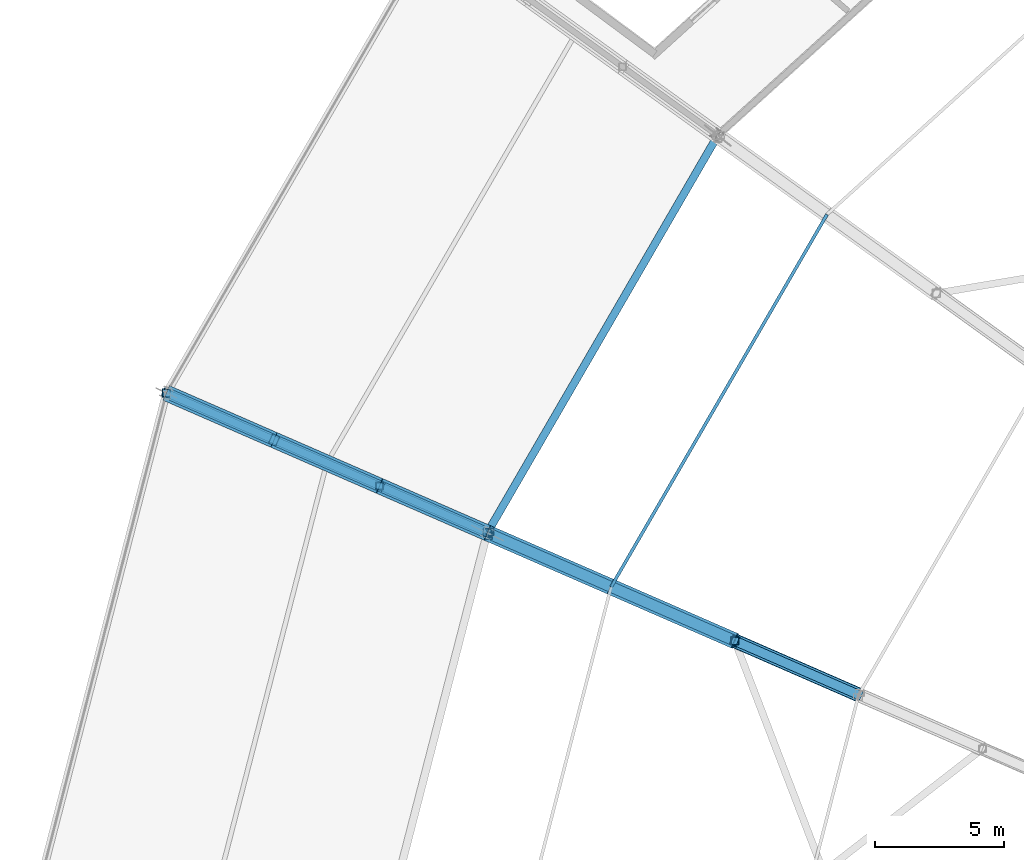
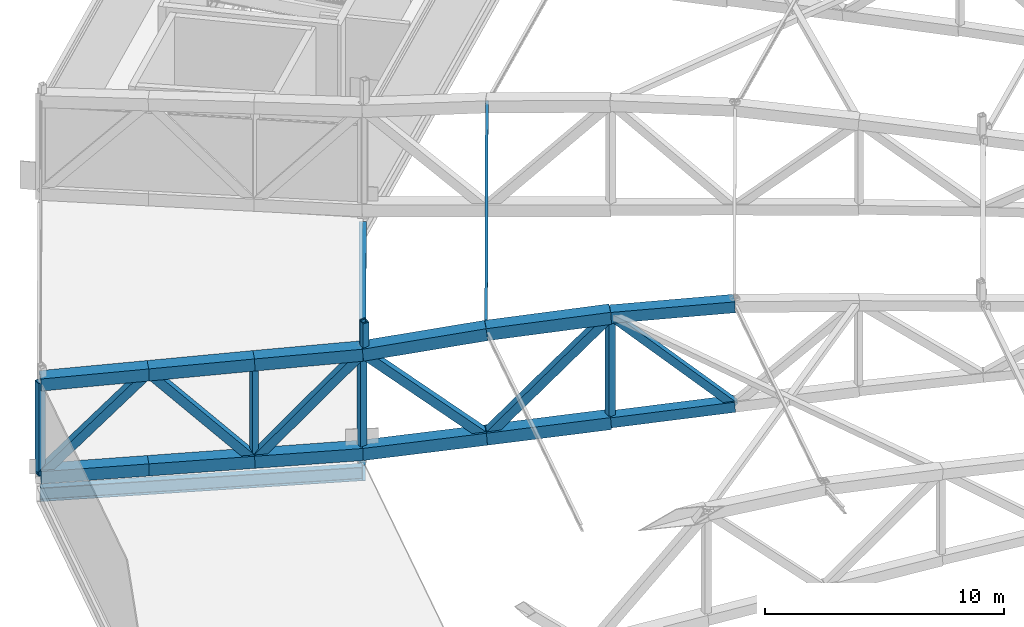
# One storey, part 43 of 162: 25 members, 2 beams.
"""IFC4 building model written with IfcOpenShell, lengths in metres."""

from ifc_helpers import new_model, si_unit, direction, frame, origin, origin_2d, place, context, subcontext, project, spatial, hollow_rectangle, i_section, extrude, material, material_profile, profile_set, type_object, element, save


model = new_model("IFC4")

# Units and contexts
model_context = context("Model", 3, precision=1e-05, world=origin(), true_north=direction((0.0, 1.0)))
body_context = subcontext(model_context, "Body", "Model", "MODEL_VIEW")
ifc_project = project(units=[si_unit("LENGTHUNIT", "METRE"), si_unit("AREAUNIT", "SQUARE_METRE"), si_unit("VOLUMEUNIT", "CUBIC_METRE"), si_unit("PLANEANGLEUNIT", "RADIAN"), si_unit("MASSUNIT", "GRAM", prefix="KILO")], contexts=[model_context])

# Site, building, storey
site_placement = place(None, origin())
site = spatial("IfcSite", under=ifc_project, at=site_placement, CompositionType="ELEMENT")
building_placement = place(site_placement, origin())
building = spatial("IfcBuilding", under=site, at=building_placement, Name="Kazemori Nagisa Stadium", CompositionType="ELEMENT")
storey_placement = place(building_placement, frame((0.0, 0.0, 36.719970703125)))
storey = spatial("IfcBuildingStorey", under=building, at=storey_placement, Name="RF", CompositionType="ELEMENT", Elevation=36.719970703125)

# Beams
ifc_material_1 = material(Name="Steel SN490B", Category="steel")
ifc_material_profile_1 = material_profile(ifc_material_1, i_section(OverallWidth=0.300048828125, OverallDepth=0.699951171875, WebThickness=0.012939453125, FlangeThickness=0.02392578125, FilletRadius=0.01806640625, at=origin_2d()), Name="H-700x300x13x24")
ifc_profile_set_1 = profile_set([ifc_material_profile_1], Name="Steel SN490B")
beam_type_1 = type_object("IfcBeamType", Name="Beam_BG-H700", PredefinedType="BEAM", material=ifc_profile_set_1)
beam_1_placement = place(storey_placement, frame((46.55908203125, 135.32470703125, -0.6298828125), z_axis=(-0.916683633521, 0.399613708517, 0.0), x_axis=(-0.399613708517, -0.916683633521, 0.0)))
element("IfcBeam", 1, at=beam_1_placement, inside=storey, type_object=beam_type_1, Name="Radial girder BG-H700 RF R2-R3-13", PredefinedType="BEAM", context=body_context, shape_type="SweptSolid", body=[
    extrude(i_section(OverallWidth=0.300048828125, OverallDepth=0.699951171875, WebThickness=0.012939453125, FlangeThickness=0.02392578125, FilletRadius=0.01806640625, at=origin_2d()), origin(), (0.0, 0.0, 1.0), 13.5751953125),
])
ifc_material_profile_2 = material_profile(ifc_material_1, i_section(OverallWidth=0.300048828125, OverallDepth=0.800048828125, WebThickness=0.013916015625, FlangeThickness=0.02587890625, FilletRadius=0.01806640625, at=origin_2d()), Name="H-800x300x14x26")
ifc_profile_set_2 = profile_set([ifc_material_profile_2], Name="Steel SN490B")
beam_type_2 = type_object("IfcBeamType", Name="Beam_BG-H800", PredefinedType="BEAM", material=ifc_profile_set_2)
beam_2_placement = place(storey_placement, frame((55.493896484375, 150.734130859375, -0.679931640625), z_axis=(-0.501606704589, -0.865095783085, 0.0), x_axis=(0.865095783085, -0.501606704589, 0.0)))
element("IfcBeam", 2, at=beam_2_placement, inside=storey, type_object=beam_type_2, Name="Ring girder BG-H800 RF R2-12", PredefinedType="BEAM", context=body_context, shape_type="SweptSolid", body=[
    extrude(i_section(OverallWidth=0.300048828125, OverallDepth=0.800048828125, WebThickness=0.013916015625, FlangeThickness=0.02587890625, FilletRadius=0.01806640625, at=origin_2d()), origin(), (0.0, 0.0, 1.0), 17.8125),
])

# Members
ifc_material_2 = material(Name="Steel STKR490", Category="steel")
ifc_material_profile_3 = material_profile(ifc_material_2, hollow_rectangle(XDim=0.280029296875, YDim=0.280029296875, WallThickness=0.010009765625, at=origin_2d()), Name="SHS-280x280x10")
ifc_profile_set_3 = profile_set([ifc_material_profile_3], Name="Steel STKR490")
member_type_1 = type_object("IfcMemberType", Name="Member_ST-SHS280", PredefinedType="STUD", material=ifc_profile_set_3)
member_1_placement = place(storey_placement, frame((46.672607421875, 135.36328125, 5.56005859375), z_axis=(0.0, 0.0, 1.0), x_axis=(1.0, 0.0, 0.0)))
element("IfcMember", 3, at=member_1_placement, inside=storey, type_object=member_type_1, Name="Canopy bearing stool B12-mid-2", PredefinedType="STUD", context=body_context, shape_type="SweptSolid", body=[
    extrude(hollow_rectangle(XDim=0.280029296875, YDim=0.280029296875, WallThickness=0.010009765625, at=origin_2d()), origin(), (0.0, 0.0, 1.0), 1.512939453125),
])
member_2_placement = place(storey_placement, frame((46.612060546875, 135.217041015625, 5.56005859375), z_axis=(0.0, 0.0, 1.0), x_axis=(1.0, 0.0, 0.0)))
element("IfcMember", 4, at=member_2_placement, inside=storey, type_object=member_type_1, Name="Canopy bearing stool B13-mid-1", PredefinedType="STUD", context=body_context, shape_type="SweptSolid", body=[
    extrude(hollow_rectangle(XDim=0.280029296875, YDim=0.280029296875, WallThickness=0.010009765625, at=origin_2d()), origin(), (0.0, 0.0, 1.0), 1.56689453125),
])
ifc_material_profile_4 = material_profile(ifc_material_2, hollow_rectangle(XDim=0.360107421875, YDim=0.360107421875, WallThickness=0.013916015625, at=origin_2d()), Name="SHS-360x360x14")
ifc_profile_set_4 = profile_set([ifc_material_profile_4], Name="Steel STKR490")
member_type_2 = type_object("IfcMemberType", Name="Member_TB-SHS360", PredefinedType="BRACE", material=ifc_profile_set_4)
member_3_placement = place(storey_placement, frame((56.158447265625, 131.1396484375, 6.6259765625), z_axis=(0.663223998138, -0.289140024824, -0.690312953912), x_axis=(0.399634648115, 0.916674504951, 0.0)))
element("IfcMember", 5, at=member_3_placement, inside=storey, type_object=member_type_2, Name="Roof space truss diagonal RT-13-6", PredefinedType="BRACE", context=body_context, shape_type="SweptSolid", body=[
    extrude(hollow_rectangle(XDim=0.360107421875, YDim=0.360107421875, WallThickness=0.013916015625, at=origin_2d()), origin(), (0.0, 0.0, 1.0), 7.237060546875),
])
ifc_material_profile_5 = material_profile(ifc_material_2, hollow_rectangle(XDim=0.419921875, YDim=0.419921875, WallThickness=0.01611328125, at=origin_2d()), Name="SHS-420x420x16")
ifc_profile_set_5 = profile_set([ifc_material_profile_5], Name="Steel STKR490")
member_type_3 = type_object("IfcMemberType", Name="Member_TB-SHS420", PredefinedType="BRACE", material=ifc_profile_set_5)
member_4_placement = place(storey_placement, frame((34.114990234375, 140.74951171875, 0.360107421875), z_axis=(0.624310604924, -0.272169069234, 0.732229654092), x_axis=(0.399626973306, 0.916677850832, 0.0)))
element("IfcMember", 6, at=member_4_placement, inside=storey, type_object=member_type_3, Name="Roof space truss diagonal RT-13-1", PredefinedType="BRACE", context=body_context, shape_type="SweptSolid", body=[
    extrude(hollow_rectangle(XDim=0.419921875, YDim=0.419921875, WallThickness=0.01611328125, at=origin_2d()), origin(), (0.0, 0.0, 1.0), 6.691650390625),
])
member_5_placement = place(storey_placement, frame((38.292724609375, 138.92822265625, 5.260009765625), z_axis=(0.622589724178, -0.271423393815, -0.733969601985), x_axis=(0.399632596361, 0.916675399433, 0.0)))
element("IfcMember", 7, at=member_5_placement, inside=storey, type_object=member_type_3, Name="Roof space truss diagonal RT-13-2", PredefinedType="BRACE", context=body_context, shape_type="SweptSolid", body=[
    extrude(hollow_rectangle(XDim=0.419921875, YDim=0.419921875, WallThickness=0.01611328125, at=origin_2d()), origin(), (0.0, 0.0, 1.0), 6.567138671875),
])
member_6_placement = place(storey_placement, frame((42.38134765625, 137.145751953125, 0.43994140625), z_axis=(0.609480709144, -0.265668338564, 0.746962916794), x_axis=(0.39958195767, 0.916697474145, 0.0)))
element("IfcMember", 8, at=member_6_placement, inside=storey, type_object=member_type_3, Name="Roof space truss diagonal RT-13-3", PredefinedType="BRACE", context=body_context, shape_type="SweptSolid", body=[
    extrude(hollow_rectangle(XDim=0.419921875, YDim=0.419921875, WallThickness=0.01611328125, at=origin_2d()), origin(), (0.0, 0.0, 1.0), 6.8544921875),
])
member_7_placement = place(storey_placement, frame((46.55908203125, 135.32470703125, 5.56005859375), z_axis=(0.681504221727, -0.297124608801, -0.668781700268), x_axis=(0.399651729643, 0.916667057875, 0.0)))
element("IfcMember", 9, at=member_7_placement, inside=storey, type_object=member_type_3, Name="Roof space truss diagonal RT-13-4", PredefinedType="BRACE", context=body_context, shape_type="SweptSolid", body=[
    extrude(hollow_rectangle(XDim=0.419921875, YDim=0.419921875, WallThickness=0.01611328125, at=origin_2d()), origin(), (0.0, 0.0, 1.0), 7.04248046875),
])
member_8_placement = place(storey_placement, frame((51.358642578125, 133.232177734375, 0.85009765625), z_axis=(0.615675483339, -0.268410710463, 0.74087744582), x_axis=(0.399634648115, 0.916674504951, 0.0)))
element("IfcMember", 10, at=member_8_placement, inside=storey, type_object=member_type_3, Name="Roof space truss diagonal RT-13-5", PredefinedType="BRACE", context=body_context, shape_type="SweptSolid", body=[
    extrude(hollow_rectangle(XDim=0.419921875, YDim=0.419921875, WallThickness=0.01611328125, at=origin_2d()), origin(), (0.0, 0.0, 1.0), 7.7958984375),
])
ifc_material_profile_6 = material_profile(ifc_material_2, hollow_rectangle(XDim=0.52001953125, YDim=0.52001953125, WallThickness=0.01904296875, at=origin_2d()), Name="SHS-520x520x19")
ifc_profile_set_6 = profile_set([ifc_material_profile_6], Name="Steel STKR490")
member_type_4 = type_object("IfcMemberType", Name="Member_TC-SHS520", PredefinedType="CHORD", material=ifc_profile_set_6)
member_9_placement = place(storey_placement, frame((56.158447265625, 131.1396484375, 1.239990234375), z_axis=(0.914140553417, -0.398529943201, 0.074302980893), x_axis=(0.399634648115, 0.916674504951, 0.0)))
element("IfcMember", 11, at=member_9_placement, inside=storey, type_object=member_type_4, Name="Roof space truss bottom chord RT-13-6", PredefinedType="CHORD", context=body_context, shape_type="SweptSolid", body=[
    extrude(hollow_rectangle(XDim=0.52001953125, YDim=0.52001953125, WallThickness=0.01904296875, at=origin_2d()), origin(), (0.0, 0.0, 1.0), 5.250732421875),
])
ifc_material_profile_7 = material_profile(ifc_material_2, hollow_rectangle(XDim=0.56005859375, YDim=0.56005859375, WallThickness=0.02001953125, at=origin_2d()), Name="SHS-560x560x20")
ifc_profile_set_7 = profile_set([ifc_material_profile_7], Name="Steel STKR490")
member_type_5 = type_object("IfcMemberType", Name="Member_TC-SHS560", PredefinedType="CHORD", material=ifc_profile_set_7)
member_10_placement = place(storey_placement, frame((56.158447265625, 131.1396484375, 6.6259765625), z_axis=(0.916383006821, -0.399507566199, 0.025216846729), x_axis=(0.399634648115, 0.916674504951, 0.0)))
element("IfcMember", 12, at=member_10_placement, inside=storey, type_object=member_type_5, Name="Roof space truss top chord RT-13-6", PredefinedType="CHORD", context=body_context, shape_type="SweptSolid", body=[
    extrude(hollow_rectangle(XDim=0.56005859375, YDim=0.56005859375, WallThickness=0.02001953125, at=origin_2d()), origin(), (0.0, 0.0, 1.0), 5.23779296875),
])
ifc_material_profile_8 = material_profile(ifc_material_2, hollow_rectangle(XDim=0.6201171875, YDim=0.6201171875, WallThickness=0.02197265625, at=origin_2d()), Name="SHS-620x620x22")
ifc_profile_set_8 = profile_set([ifc_material_profile_8], Name="Steel STKR490")
member_type_6 = type_object("IfcMemberType", Name="Member_TC-SHS620", PredefinedType="CHORD", material=ifc_profile_set_8)
member_11_placement = place(storey_placement, frame((34.114990234375, 140.74951171875, 5.10009765625), z_axis=(0.916114082748, -0.399381197832, 0.035066311606), x_axis=(0.399626973306, 0.916677850832, 0.0)))
element("IfcMember", 13, at=member_11_placement, inside=storey, type_object=member_type_6, Name="Roof space truss top chord RT-13-1", PredefinedType="CHORD", context=body_context, shape_type="SweptSolid", body=[
    extrude(hollow_rectangle(XDim=0.6201171875, YDim=0.6201171875, WallThickness=0.02197265625, at=origin_2d()), origin(), (0.0, 0.0, 1.0), 4.560302734375),
])
member_12_placement = place(storey_placement, frame((34.114990234375, 140.74951171875, 0.360107421875), z_axis=(0.916642477072, -0.399611552066, 0.008785026078), x_axis=(0.399626973306, 0.916677850832, 0.0)))
element("IfcMember", 14, at=member_12_placement, inside=storey, type_object=member_type_6, Name="Roof space truss bottom chord RT-13-1", PredefinedType="CHORD", context=body_context, shape_type="SweptSolid", body=[
    extrude(hollow_rectangle(XDim=0.6201171875, YDim=0.6201171875, WallThickness=0.02197265625, at=origin_2d()), origin(), (0.0, 0.0, 1.0), 4.5576171875),
])
member_13_placement = place(storey_placement, frame((38.292724609375, 138.92822265625, 5.260009765625), z_axis=(0.916086817595, -0.399375999001, 0.035829513676), x_axis=(0.399632596361, 0.916675399433, 0.0)))
element("IfcMember", 15, at=member_13_placement, inside=storey, type_object=member_type_6, Name="Roof space truss top chord RT-13-2", PredefinedType="CHORD", context=body_context, shape_type="SweptSolid", body=[
    extrude(hollow_rectangle(XDim=0.6201171875, YDim=0.6201171875, WallThickness=0.02197265625, at=origin_2d()), origin(), (0.0, 0.0, 1.0), 4.463134765625),
])
member_14_placement = place(storey_placement, frame((38.292724609375, 138.92822265625, 0.400146484375), z_axis=(0.916638916313, -0.399616691228, 0.008921725883), x_axis=(0.399632596361, 0.916675399433, 0.0)))
element("IfcMember", 16, at=member_14_placement, inside=storey, type_object=member_type_6, Name="Roof space truss bottom chord RT-13-2", PredefinedType="CHORD", context=body_context, shape_type="SweptSolid", body=[
    extrude(hollow_rectangle(XDim=0.6201171875, YDim=0.6201171875, WallThickness=0.02197265625, at=origin_2d()), origin(), (0.0, 0.0, 1.0), 4.46044921875),
])
member_15_placement = place(storey_placement, frame((42.38134765625, 137.145751953125, 5.419921875), z_axis=(0.916264399752, -0.399393183599, 0.030734909155), x_axis=(0.39958195767, 0.916697474145, 0.0)))
element("IfcMember", 17, at=member_15_placement, inside=storey, type_object=member_type_6, Name="Roof space truss top chord RT-13-3", PredefinedType="CHORD", context=body_context, shape_type="SweptSolid", body=[
    extrude(hollow_rectangle(XDim=0.6201171875, YDim=0.6201171875, WallThickness=0.02197265625, at=origin_2d()), origin(), (0.0, 0.0, 1.0), 4.5595703125),
])
member_16_placement = place(storey_placement, frame((42.38134765625, 137.145751953125, 0.43994140625), z_axis=(0.916662098113, -0.399566537507, 0.008785214124), x_axis=(0.39958195767, 0.916697474145, 0.0)))
element("IfcMember", 18, at=member_16_placement, inside=storey, type_object=member_type_6, Name="Roof space truss bottom chord RT-13-3", PredefinedType="CHORD", context=body_context, shape_type="SweptSolid", body=[
    extrude(hollow_rectangle(XDim=0.6201171875, YDim=0.6201171875, WallThickness=0.02197265625, at=origin_2d()), origin(), (0.0, 0.0, 1.0), 4.5576171875),
])
member_17_placement = place(storey_placement, frame((46.55908203125, 135.32470703125, 5.56005859375), z_axis=(0.909897129145, -0.396700152292, 0.12131036042), x_axis=(0.399651729643, 0.916667057875, 0.0)))
element("IfcMember", 19, at=member_17_placement, inside=storey, type_object=member_type_6, Name="Roof space truss top chord RT-13-4", PredefinedType="CHORD", context=body_context, shape_type="SweptSolid", body=[
    extrude(hollow_rectangle(XDim=0.6201171875, YDim=0.6201171875, WallThickness=0.02197265625, at=origin_2d()), origin(), (0.0, 0.0, 1.0), 5.27490234375),
])
member_18_placement = place(storey_placement, frame((46.55908203125, 135.32470703125, 0.47998046875), z_axis=(0.914385368274, -0.398656950581, 0.070512651625), x_axis=(0.399651729643, 0.916667057875, 0.0)))
element("IfcMember", 20, at=member_18_placement, inside=storey, type_object=member_type_6, Name="Roof space truss bottom chord RT-13-4", PredefinedType="CHORD", context=body_context, shape_type="SweptSolid", body=[
    extrude(hollow_rectangle(XDim=0.6201171875, YDim=0.6201171875, WallThickness=0.02197265625, at=origin_2d()), origin(), (0.0, 0.0, 1.0), 5.2490234375),
])
member_19_placement = place(storey_placement, frame((51.358642578125, 133.232177734375, 6.199951171875), z_axis=(0.913655321099, -0.398318400668, 0.081095042488), x_axis=(0.399634648115, 0.916674504951, 0.0)))
element("IfcMember", 21, at=member_19_placement, inside=storey, type_object=member_type_6, Name="Roof space truss top chord RT-13-5", PredefinedType="CHORD", context=body_context, shape_type="SweptSolid", body=[
    extrude(hollow_rectangle(XDim=0.6201171875, YDim=0.6201171875, WallThickness=0.02197265625, at=origin_2d()), origin(), (0.0, 0.0, 1.0), 5.25341796875),
])
member_20_placement = place(storey_placement, frame((51.358642578125, 133.232177734375, 0.85009765625), z_axis=(0.914143710711, -0.39853131966, 0.074256739878), x_axis=(0.399634648115, 0.916674504951, 0.0)))
element("IfcMember", 22, at=member_20_placement, inside=storey, type_object=member_type_6, Name="Roof space truss bottom chord RT-13-5", PredefinedType="CHORD", context=body_context, shape_type="SweptSolid", body=[
    extrude(hollow_rectangle(XDim=0.6201171875, YDim=0.6201171875, WallThickness=0.02197265625, at=origin_2d()), origin(), (0.0, 0.0, 1.0), 5.25048828125),
])
ifc_material_profile_9 = material_profile(ifc_material_1, i_section(OverallWidth=0.125, OverallDepth=0.25, WebThickness=0.006103515625, FlangeThickness=0.009033203125, FilletRadius=0.008056640625, at=origin_2d()), Name="H-250x125x6x9")
ifc_profile_set_9 = profile_set([ifc_material_profile_9], Name="Steel SN490B")
member_type_7 = type_object("IfcMemberType", Name="Member_TP-H250", PredefinedType="PURLIN", material=ifc_profile_set_9)
member_21_placement = place(storey_placement, frame((59.732666015625, 147.674072265625, 6.1650390625), z_axis=(-0.501614999574, -0.86508844562, 0.002091281194), x_axis=(0.86509033734, -0.501616096473, 0.0)))
element("IfcMember", 23, at=member_21_placement, inside=storey, type_object=member_type_7, Name="Roof purlin TP-H250 B12-P4", PredefinedType="PURLIN", context=body_context, shape_type="SweptSolid", body=[
    extrude(i_section(OverallWidth=0.125, OverallDepth=0.25, WebThickness=0.006103515625, FlangeThickness=0.009033203125, FilletRadius=0.008056640625, at=origin_2d()), origin(), (0.0, 0.0, 1.0), 16.694091796875),
])
ifc_material_profile_10 = material_profile(ifc_material_2, hollow_rectangle(XDim=0.280029296875, YDim=0.280029296875, WallThickness=0.010009765625, at=origin_2d()), Name="SHS-280x280x10")
ifc_profile_set_10 = profile_set([ifc_material_profile_10], Name="Steel STKR490")
member_type_8 = type_object("IfcMemberType", Name="Member_TS-SHS280", PredefinedType="STRUT", material=ifc_profile_set_10)
member_22_placement = place(storey_placement, frame((42.38134765625, 137.145751953125, 0.43994140625), z_axis=(0.0, 0.0, 1.0), x_axis=(1.0, 0.0, 0.0)))
element("IfcMember", 24, at=member_22_placement, inside=storey, type_object=member_type_8, Name="Roof space truss strut RT-13-3", PredefinedType="STRUT", context=body_context, shape_type="SweptSolid", body=[
    extrude(hollow_rectangle(XDim=0.280029296875, YDim=0.280029296875, WallThickness=0.010009765625, at=origin_2d()), origin(), (0.0, 0.0, 1.0), 4.97998046875),
])
ifc_material_profile_11 = material_profile(ifc_material_2, hollow_rectangle(XDim=0.320068359375, YDim=0.320068359375, WallThickness=0.011962890625, at=origin_2d()), Name="SHS-320x320x12")
ifc_profile_set_11 = profile_set([ifc_material_profile_11], Name="Steel STKR490")
member_type_9 = type_object("IfcMemberType", Name="Member_TS-SHS320", PredefinedType="STRUT", material=ifc_profile_set_11)
member_23_placement = place(storey_placement, frame((34.114990234375, 140.74951171875, 0.360107421875), z_axis=(0.0, 0.0, 1.0), x_axis=(1.0, 0.0, 0.0)))
element("IfcMember", 25, at=member_23_placement, inside=storey, type_object=member_type_9, Name="Roof space truss strut RT-13-1", PredefinedType="STRUT", context=body_context, shape_type="SweptSolid", body=[
    extrude(hollow_rectangle(XDim=0.320068359375, YDim=0.320068359375, WallThickness=0.011962890625, at=origin_2d()), origin(), (0.0, 0.0, 1.0), 4.739990234375),
])
member_24_placement = place(storey_placement, frame((46.55908203125, 135.32470703125, 0.47998046875), z_axis=(0.0, 0.0, 1.0), x_axis=(1.0, 0.0, 0.0)))
element("IfcMember", 26, at=member_24_placement, inside=storey, type_object=member_type_9, Name="Roof space truss strut RT-13-4", PredefinedType="STRUT", context=body_context, shape_type="SweptSolid", body=[
    extrude(hollow_rectangle(XDim=0.320068359375, YDim=0.320068359375, WallThickness=0.011962890625, at=origin_2d()), origin(), (0.0, 0.0, 1.0), 5.080078125),
])
member_25_placement = place(storey_placement, frame((56.158447265625, 131.1396484375, 1.239990234375), z_axis=(0.0, 0.0, 1.0), x_axis=(1.0, 0.0, 0.0)))
element("IfcMember", 27, at=member_25_placement, inside=storey, type_object=member_type_9, Name="Roof space truss strut RT-13-6", PredefinedType="STRUT", context=body_context, shape_type="SweptSolid", body=[
    extrude(hollow_rectangle(XDim=0.320068359375, YDim=0.320068359375, WallThickness=0.011962890625, at=origin_2d()), origin(), (0.0, 0.0, 1.0), 5.385986328125),
])

save(model, "model.ifc")
